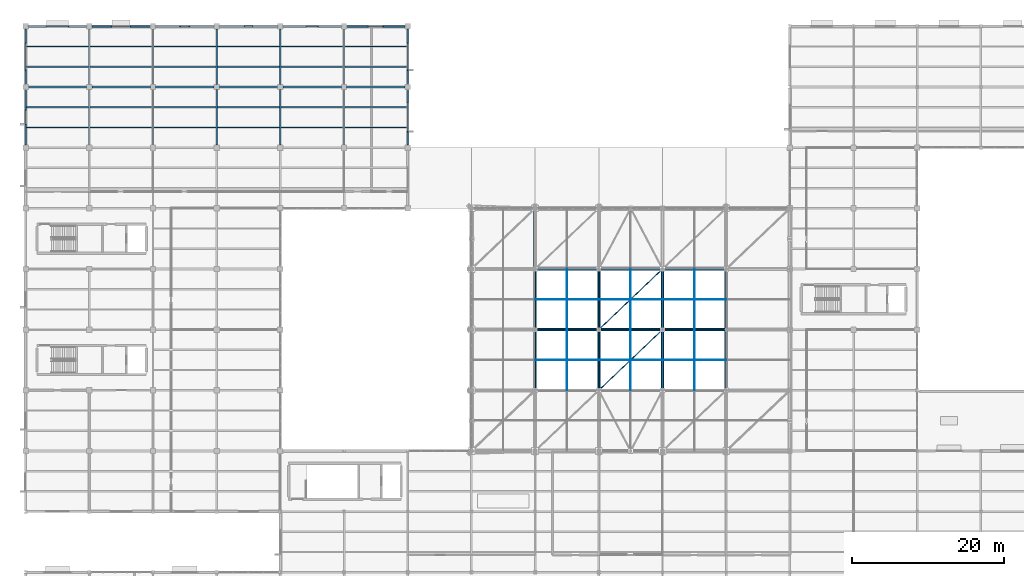
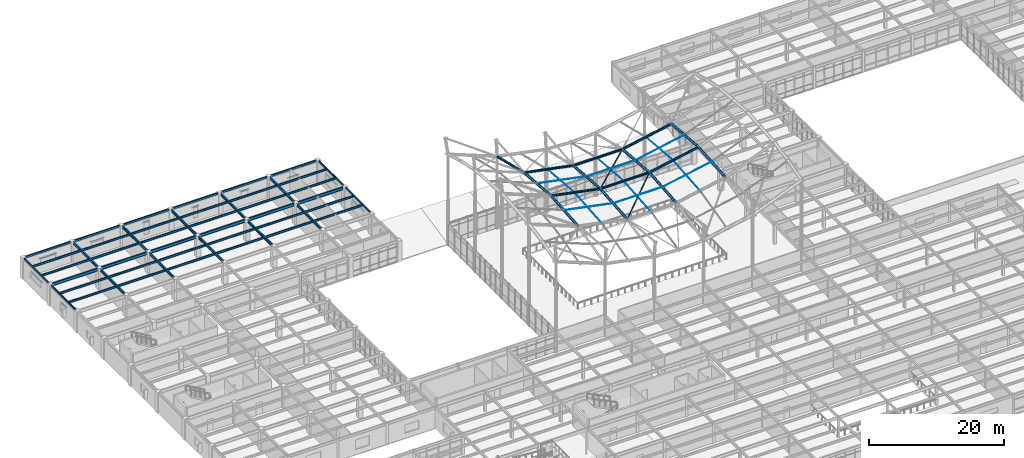
# One storey, part 43 of 138: 75 beams, 14 members.
"""IFC4 building model written with IfcOpenShell, lengths in metres."""

import ifcopenshell
import ifcopenshell.guid

model = None  # the IFC model being written
_history = None  # IfcOwnerHistory: only IFC2X3 demands one
_inside = {}  # id of a spatial element -> (the spatial element, [elements in it])
_under = {}  # id of a project, library or spatial element -> (it, [spatial elements below it])
_declared = {}  # id of a project -> (the project, [libraries it declares])
_typed = {}  # id of a type object -> (the type object, [elements of that type])
_made_of = {}  # id of a material, layer set ... -> (it, [elements and type objects made of it])


def new_model(schema):
    """Start an empty IFC model of exactly this schema.

    Asked for "IFC4X3", IfcOpenShell would pick the latest addendum, in which some entities
    have other attributes; the version numbers below select the first issue.
    IFC2X3 requires an IfcOwnerHistory on every rooted entity: one is made here for all.
    """
    global model, _history
    if schema == "IFC4X3":
        model = ifcopenshell.file(schema_version=(4, 3, 0, 0))
    else:
        model = ifcopenshell.file(schema=schema)
    _inside.clear()
    _under.clear()
    _declared.clear()
    _typed.clear()
    _made_of.clear()
    _history = None
    if model.schema == "IFC2X3":
        org = make("IfcOrganization", Name="unknown")
        user = make(
            "IfcPersonAndOrganization",
            ThePerson=make("IfcPerson", FamilyName="unknown"),
            TheOrganization=org,
        )
        app = make(
            "IfcApplication",
            ApplicationDeveloper=org,
            Version="unknown",
            ApplicationFullName="unknown",
            ApplicationIdentifier="unknown",
        )
        _history = make(
            "IfcOwnerHistory",
            OwningUser=user,
            OwningApplication=app,
            ChangeAction="ADDED",
            CreationDate=0,
        )
    return model


def make(cls, **values):
    """One entity of the class cls with the attributes given. An attribute that is None is left unset."""
    return model.create_entity(
        cls, **{name: value for name, value in values.items() if value is not None}
    )


def rooted(cls, **values):
    """An entity with a GlobalId (a new one), such as an element, a storey or a relation."""
    return make(cls, GlobalId=ifcopenshell.guid.new(), OwnerHistory=_history, **values)


def si_unit(unit_type, name, prefix=None):
    """IfcSIUnit, for example si_unit("LENGTHUNIT", "METRE", prefix="MILLI")."""
    return make("IfcSIUnit", UnitType=unit_type, Prefix=prefix, Name=name)


def assignment(units):
    """IfcUnitAssignment: the units of a project."""
    return None if units is None else make("IfcUnitAssignment", Units=units)


def point(xyz):
    """IfcCartesianPoint."""
    return None if xyz is None else make("IfcCartesianPoint", Coordinates=xyz)


def direction(xyz):
    """IfcDirection."""
    return None if xyz is None else make("IfcDirection", DirectionRatios=xyz)


def frame(location, z_axis=None, x_axis=None):
    """IfcAxis2Placement3D, a coordinate frame: its origin and axes. An axis left out is left unset."""
    return make(
        "IfcAxis2Placement3D",
        Location=point(location),
        Axis=direction(z_axis),
        RefDirection=direction(x_axis),
    )


def frame_2d(location, x_axis=None):
    """IfcAxis2Placement2D, a coordinate frame in the plane: its origin and x axis."""
    return make(
        "IfcAxis2Placement2D", Location=point(location), RefDirection=direction(x_axis)
    )


def origin():
    """The frame at (0, 0, 0) with its axes left unset."""
    return frame((0.0, 0.0, 0.0))


def origin_2d():
    """The frame at (0, 0) in the plane with its x axis left unset."""
    return frame_2d((0.0, 0.0))


def place(relative_to, where):
    """IfcLocalPlacement: puts the frame where relative to a parent placement (None: the world)."""
    return make(
        "IfcLocalPlacement", PlacementRelTo=relative_to, RelativePlacement=where
    )


def context(
    kind, dimensions, precision=None, world=None, true_north=None, identifier=None
):
    """IfcGeometricRepresentationContext, for example the 3D "Model" context."""
    return make(
        "IfcGeometricRepresentationContext",
        ContextIdentifier=identifier,
        ContextType=kind,
        CoordinateSpaceDimension=dimensions,
        Precision=precision,
        WorldCoordinateSystem=world,
        TrueNorth=true_north,
    )


def subcontext(parent, identifier, kind, view, scale=None):
    """IfcGeometricRepresentationSubContext, for example "Body" below "Model"."""
    return make(
        "IfcGeometricRepresentationSubContext",
        ContextIdentifier=identifier,
        ContextType=kind,
        ParentContext=parent,
        TargetScale=scale,
        TargetView=view,
    )


def project(units=None, contexts=None):
    """IfcProject with its units and contexts."""
    return rooted(
        "IfcProject",
        Name="project",
        RepresentationContexts=contexts,
        UnitsInContext=assignment(units),
    )


def spatial(cls, under=None, at=None, **own):
    """A site, building, storey or space (cls), placed at a placement, below another one or the project."""
    s = rooted(cls, ObjectPlacement=at, **own)
    if under is not None:
        _under.setdefault(under.id(), (under, []))[1].append(s)
    return s


def profile(cls, at=None, kind="AREA", **sizes):
    """A parametric profile (cls). Its sizes go by their IFC names, for example OverallWidth=200.0."""
    return make(cls, ProfileType=kind, Position=at, **sizes)


def hollow_rectangle(**sizes):
    """IfcRectangleHollowProfileDef."""
    return profile("IfcRectangleHollowProfileDef", **sizes)


def circle(**sizes):
    """IfcCircleProfileDef."""
    return profile("IfcCircleProfileDef", **sizes)


def hollow_circle(**sizes):
    """IfcCircleHollowProfileDef."""
    return profile("IfcCircleHollowProfileDef", **sizes)


def i_section(**sizes):
    """IfcIShapeProfileDef."""
    return profile("IfcIShapeProfileDef", **sizes)


def u_section(**sizes):
    """IfcUShapeProfileDef."""
    return profile("IfcUShapeProfileDef", **sizes)


def extrude(swept, where, along, depth):
    """IfcExtrudedAreaSolid: the profile swept, set in the frame where, extruded along a direction by depth."""
    return make(
        "IfcExtrudedAreaSolid",
        SweptArea=swept,
        Position=where,
        ExtrudedDirection=direction(along),
        Depth=depth,
    )


def shape(context_of_items, identifier, shape_type, items):
    """IfcShapeRepresentation: the items that make up one representation, for example the "Body"."""
    return make(
        "IfcShapeRepresentation",
        ContextOfItems=context_of_items,
        RepresentationIdentifier=identifier,
        RepresentationType=shape_type,
        Items=items,
    )


def material(Name=None, Category=None):
    """IfcMaterial."""
    return make("IfcMaterial", Name=Name, Category=Category)


def material_profile(
    of_material, cross_section, Name=None, Category=None, Priority=None
):
    """IfcMaterialProfile: a cross section and its material."""
    return make(
        "IfcMaterialProfile",
        Name=Name,
        Material=of_material,
        Profile=cross_section,
        Priority=Priority,
        Category=Category,
    )


def profile_set(profiles, Name=None, composite=None):
    """IfcMaterialProfileSet."""
    return make(
        "IfcMaterialProfileSet",
        Name=Name,
        MaterialProfiles=profiles,
        CompositeProfile=composite,
    )


def made_of(thing, what):
    """Note that an element or type object is made of a material, layer set ...; save() writes the relation."""
    if what is not None:
        _made_of.setdefault(what.id(), (what, []))[1].append(thing)
    return thing


def type_object(cls, material=None, **own):
    """A type object (cls), such as IfcWallType, which elements share."""
    return made_of(rooted(cls, **own), material)


def element(
    cls,
    number,
    at=None,
    inside=None,
    cuts=None,
    type_object=None,
    material=None,
    context=None,
    identifier="Body",
    shape_type=None,
    held_by="IfcProductDefinitionShape",
    body=None,
    shapes=None,
    **own,
):
    """One element of the class cls, such as IfcWall. Its Tag is "e" and its number.

    at: its placement. inside: the storey or other place that contains it. cuts: it is an
    opening in that element (IfcRelVoidsElement). A single representation is given by context,
    identifier, shape_type and body (its items); several are given by shapes. held_by: the class
    of the entity that holds the representations. save() writes the other relations.
    """
    e = rooted(cls, Tag="e%d" % number, ObjectPlacement=at, **own)
    if body is not None:
        shapes = [shape(context, identifier, shape_type, body)]
    if shapes is not None:
        e.Representation = make(held_by, Representations=shapes)
    if inside is not None:
        _inside.setdefault(inside.id(), (inside, []))[1].append(e)
    if cuts is not None:
        rooted(
            "IfcRelVoidsElement", RelatingBuildingElement=cuts, RelatedOpeningElement=e
        )
    if type_object is not None:
        _typed.setdefault(type_object.id(), (type_object, []))[1].append(e)
    return made_of(e, material)


def aggregate(whole, parts):
    """IfcRelAggregates: a whole, such as a stair, and the parts it consists of."""
    return rooted("IfcRelAggregates", RelatingObject=whole, RelatedObjects=parts)


def save(model, path):
    """Write the relations noted so far, then the file.

    IfcRelAggregates (storeys below a building ...), IfcRelContainedInSpatialStructure (elements
    in a storey), IfcRelDefinesByType, IfcRelAssociatesMaterial and IfcRelDeclares: one each for
    every whole, place, type object, material and project.
    """
    for whole, parts in _under.values():
        aggregate(whole, parts)
    for where, things in _inside.values():
        rooted(
            "IfcRelContainedInSpatialStructure",
            RelatedElements=things,
            RelatingStructure=where,
        )
    for kind, things in _typed.values():
        rooted("IfcRelDefinesByType", RelatedObjects=things, RelatingType=kind)
    for what, things in _made_of.values():
        rooted("IfcRelAssociatesMaterial", RelatedObjects=things, RelatingMaterial=what)
    for by, libraries in _declared.values():
        rooted("IfcRelDeclares", RelatingContext=by, RelatedDefinitions=libraries)
    model.write(path)


model = new_model("IFC4")

# Units and contexts
model_context = context("Model", 3, precision=1e-05, world=origin(), true_north=direction((0.0, 1.0)))
body_context = subcontext(model_context, "Body", "Model", "MODEL_VIEW")
ifc_project = project(units=[si_unit("LENGTHUNIT", "METRE"), si_unit("AREAUNIT", "SQUARE_METRE"), si_unit("VOLUMEUNIT", "CUBIC_METRE"), si_unit("PLANEANGLEUNIT", "RADIAN"), si_unit("MASSUNIT", "GRAM", prefix="KILO")], contexts=[model_context])

# Site, building, storey
site_placement = place(None, origin())
site = spatial("IfcSite", under=ifc_project, at=site_placement, CompositionType="ELEMENT")
building_placement = place(site_placement, origin())
building = spatial("IfcBuilding", under=site, at=building_placement, Name="Kranzveld Transit Interchange", CompositionType="ELEMENT")
storey_placement = place(building_placement, frame((0.0, 0.0, 5.43994140625)))
storey = spatial("IfcBuildingStorey", under=building, at=storey_placement, Name="L01", CompositionType="ELEMENT", Elevation=5.43994140625)

# Beams
ifc_material_1 = material(Name="Steel S355JR", Category="steel")
ifc_material_profile_1 = material_profile(ifc_material_1, i_section(OverallWidth=0.19189453125, OverallDepth=0.46337890625, WebThickness=0.010498046875, FlangeThickness=0.017578125, FilletRadius=0.01025390625, at=origin_2d()), Name="UB 457x191x89")
ifc_profile_set_1 = profile_set([ifc_material_profile_1], Name="Steel S355JR")
beam_type_1 = type_object("IfcBeamType", Name="Beam Steel UB 457x191x89 S355JR", PredefinedType="BEAM", material=ifc_profile_set_1)
for number, where, z_axis, x_axis, name in (
    (1, (8.39990234375, 96.340087890625, 3.568359375), (0.0, 1.0, 0.0), (-1.0, 0.0, 0.0), "L01 Girder 02/N-P"),
    (2, (8.39990234375, 104.340087890625, 3.568359375), (0.0, 1.0, 0.0), (-1.0, 0.0, 0.0), "L01 Girder 02/P-Q"),
    (3, (16.800048828125, 96.340087890625, 3.568359375), (0.0, 1.0, 0.0), (-1.0, 0.0, 0.0), "L01 Girder 03/N-P"),
    (4, (16.800048828125, 104.340087890625, 3.568359375), (0.0, 1.0, 0.0), (-1.0, 0.0, 0.0), "L01 Girder 03/P-Q"),
    (5, (25.199951171875, 96.340087890625, 3.568359375), (0.0, 1.0, 0.0), (-1.0, 0.0, 0.0), "L01 Girder 04/N-P"),
    (6, (25.199951171875, 104.340087890625, 3.568359375), (0.0, 1.0, 0.0), (-1.0, 0.0, 0.0), "L01 Girder 04/P-Q"),
    (7, (33.60009765625, 96.340087890625, 3.568359375), (0.0, 1.0, 0.0), (-1.0, 0.0, 0.0), "L01 Girder 05/N-P"),
    (8, (33.60009765625, 104.340087890625, 3.568359375), (0.0, 1.0, 0.0), (-1.0, 0.0, 0.0), "L01 Girder 05/P-Q"),
    (9, (42.0, 96.340087890625, 3.568359375), (0.0, 1.0, 0.0), (-1.0, 0.0, 0.0), "L01 Girder 06/N-P"),
    (10, (42.0, 104.340087890625, 3.568359375), (0.0, 1.0, 0.0), (-1.0, 0.0, 0.0), "L01 Girder 06/P-Q"),
):
    element("IfcBeam", number, at=place(storey_placement, frame(where, z_axis=z_axis, x_axis=x_axis)), inside=storey, type_object=beam_type_1, Name=name, PredefinedType="BEAM", context=body_context, shape_type="SweptSolid", body=[
        extrude(i_section(OverallWidth=0.19189453125, OverallDepth=0.46337890625, WebThickness=0.010498046875, FlangeThickness=0.017578125, FilletRadius=0.01025390625, at=origin_2d()), origin(), (0.0, 0.0, 1.0), 7.31982421875),
    ])
ifc_material_2 = material(Name="Steel S355JR", Category="steel")
ifc_material_profile_2 = material_profile(ifc_material_2, hollow_rectangle(XDim=0.199951171875, YDim=0.300048828125, WallThickness=0.010009765625, InnerFilletRadius=0.014892578125, OuterFilletRadius=0.02490234375, at=origin_2d()), Name="RHS 300x200x10")
ifc_profile_set_2 = profile_set([ifc_material_profile_2], Name="Steel S355JR")
beam_type_2 = type_object("IfcBeamType", Name="Edge Spandrel RHS 300x200x10 S355JR", PredefinedType="SPANDREL", material=ifc_profile_set_2)
for number, where, z_axis, x_axis, name in (
    (11, (0.0, 96.340087890625, 3.650146484375), (0.0, 1.0, 0.0), (-1.0, 0.0, 0.0), "L01 Girder 01/N-P"),
    (12, (0.0, 104.340087890625, 3.650146484375), (0.0, 1.0, 0.0), (-1.0, 0.0, 0.0), "L01 Girder 01/P-Q"),
    (13, (50.39990234375, 96.340087890625, 3.650146484375), (0.0, 1.0, 0.0), (-1.0, 0.0, 0.0), "L01 Girder 07/N-P"),
    (14, (50.39990234375, 104.340087890625, 3.650146484375), (0.0, 1.0, 0.0), (-1.0, 0.0, 0.0), "L01 Girder 07/P-Q"),
):
    element("IfcBeam", number, at=place(storey_placement, frame(where, z_axis=z_axis, x_axis=x_axis)), inside=storey, type_object=beam_type_2, Name=name, PredefinedType="SPANDREL", context=body_context, shape_type="SweptSolid", body=[
        extrude(hollow_rectangle(XDim=0.199951171875, YDim=0.300048828125, WallThickness=0.010009765625, InnerFilletRadius=0.014892578125, OuterFilletRadius=0.02490234375, at=origin_2d()), origin(), (0.0, 0.0, 1.0), 7.31982421875),
    ])
ifc_material_3 = material(Name="Steel S355JR", Category="steel")
ifc_material_profile_3 = material_profile(ifc_material_3, hollow_rectangle(XDim=0.25, YDim=0.35009765625, WallThickness=0.012451171875, InnerFilletRadius=0.018798828125, OuterFilletRadius=0.03125, at=origin_2d()), Name="RHS 350x250x12.5")
ifc_profile_set_3 = profile_set([ifc_material_profile_3], Name="Steel S355JR")
beam_type_3 = type_object("IfcBeamType", Name="Edge Spandrel RHS 350x250x12.5 S355JR", PredefinedType="SPANDREL", material=ifc_profile_set_3)
for number, where, z_axis, x_axis, name in (
    (15, (0.340087890625, 112.0, 3.625), (1.0, 0.0, 0.0), (0.0, 1.0, 0.0), "L01 Girder 01-02/Q"),
    (16, (8.739990234375, 112.0, 3.625), (1.0, 0.0, 0.0), (0.0, 1.0, 0.0), "L01 Girder 02-03/Q"),
):
    element("IfcBeam", number, at=place(storey_placement, frame(where, z_axis=z_axis, x_axis=x_axis)), inside=storey, type_object=beam_type_3, Name=name, PredefinedType="SPANDREL", context=body_context, shape_type="SweptSolid", body=[
        extrude(hollow_rectangle(XDim=0.25, YDim=0.35009765625, WallThickness=0.012451171875, InnerFilletRadius=0.018798828125, OuterFilletRadius=0.03125, at=origin_2d()), origin(), (0.0, 0.0, 1.0), 7.719970703125),
    ])
beam_1_placement = place(storey_placement, frame((17.139892578125, 112.0, 3.625), z_axis=(1.0, 0.0, 0.0), x_axis=(0.0, 1.0, 0.0)))
element("IfcBeam", 17, at=beam_1_placement, inside=storey, type_object=beam_type_3, Name="L01 Girder 03-04/Q", PredefinedType="SPANDREL", context=body_context, shape_type="SweptSolid", body=[
    extrude(hollow_rectangle(XDim=0.25, YDim=0.35009765625, WallThickness=0.012451171875, InnerFilletRadius=0.018798828125, OuterFilletRadius=0.03125, at=origin_2d()), origin(), (0.0, 0.0, 1.0), 7.72021484375),
])
for number, where, z_axis, x_axis, name in (
    (18, (25.5400390625, 112.0, 3.625), (1.0, 0.0, 0.0), (0.0, 1.0, 0.0), "L01 Girder 04-05/Q"),
    (19, (33.93994140625, 112.0, 3.625), (1.0, 0.0, 0.0), (0.0, 1.0, 0.0), "L01 Girder 05-06/Q"),
    (20, (42.340087890625, 112.0, 3.625), (1.0, 0.0, 0.0), (0.0, 1.0, 0.0), "L01 Girder 06-07/Q"),
):
    element("IfcBeam", number, at=place(storey_placement, frame(where, z_axis=z_axis, x_axis=x_axis)), inside=storey, type_object=beam_type_3, Name=name, PredefinedType="SPANDREL", context=body_context, shape_type="SweptSolid", body=[
        extrude(hollow_rectangle(XDim=0.25, YDim=0.35009765625, WallThickness=0.012451171875, InnerFilletRadius=0.018798828125, OuterFilletRadius=0.03125, at=origin_2d()), origin(), (0.0, 0.0, 1.0), 7.719970703125),
    ])
ifc_material_4 = material(Name="Steel S355JR", Category="steel")
ifc_material_profile_4 = material_profile(ifc_material_4, i_section(OverallWidth=0.172119140625, OverallDepth=0.35791015625, WebThickness=0.008056640625, FlangeThickness=0.012939453125, FilletRadius=0.01025390625, at=origin_2d()), Name="UB 356x171x57")
ifc_profile_set_4 = profile_set([ifc_material_profile_4], Name="Steel S355JR")
beam_type_4 = type_object("IfcBeamType", Name="Floor Joist UB 356x171x57 S355JR", PredefinedType="JOIST", material=ifc_profile_set_4)
for number, where, z_axis, x_axis, name in (
    (21, (0.10205078125, 98.666748046875, 3.62109375), (1.0, 0.0, 0.0), (0.0, 1.0, 0.0), "L01 Secondary Joist 01-02/N.1"),
    (22, (0.10205078125, 101.333251953125, 3.62109375), (1.0, 0.0, 0.0), (0.0, 1.0, 0.0), "L01 Secondary Joist 01-02/N.2"),
    (23, (0.10205078125, 106.666748046875, 3.62109375), (1.0, 0.0, 0.0), (0.0, 1.0, 0.0), "L01 Secondary Joist 01-02/P.1"),
    (24, (0.10205078125, 109.333251953125, 3.62109375), (1.0, 0.0, 0.0), (0.0, 1.0, 0.0), "L01 Secondary Joist 01-02/P.2"),
):
    element("IfcBeam", number, at=place(storey_placement, frame(where, z_axis=z_axis, x_axis=x_axis)), inside=storey, type_object=beam_type_4, Name=name, PredefinedType="JOIST", context=body_context, shape_type="SweptSolid", body=[
        extrude(i_section(OverallWidth=0.172119140625, OverallDepth=0.35791015625, WebThickness=0.008056640625, FlangeThickness=0.012939453125, FilletRadius=0.01025390625, at=origin_2d()), origin(), (0.0, 0.0, 1.0), 8.199951171875),
    ])
for number, where, z_axis, x_axis, name in (
    (25, (8.498046875, 98.666748046875, 3.62109375), (1.0, 0.0, 0.0), (0.0, 1.0, 0.0), "L01 Secondary Joist 02-03/N.1"),
    (26, (8.498046875, 101.333251953125, 3.62109375), (1.0, 0.0, 0.0), (0.0, 1.0, 0.0), "L01 Secondary Joist 02-03/N.2"),
    (27, (8.498046875, 106.666748046875, 3.62109375), (1.0, 0.0, 0.0), (0.0, 1.0, 0.0), "L01 Secondary Joist 02-03/P.1"),
    (28, (8.498046875, 109.333251953125, 3.62109375), (1.0, 0.0, 0.0), (0.0, 1.0, 0.0), "L01 Secondary Joist 02-03/P.2"),
    (29, (16.89794921875, 98.666748046875, 3.62109375), (1.0, 0.0, 0.0), (0.0, 1.0, 0.0), "L01 Secondary Joist 03-04/N.1"),
    (30, (16.89794921875, 101.333251953125, 3.62109375), (1.0, 0.0, 0.0), (0.0, 1.0, 0.0), "L01 Secondary Joist 03-04/N.2"),
    (31, (16.89794921875, 106.666748046875, 3.62109375), (1.0, 0.0, 0.0), (0.0, 1.0, 0.0), "L01 Secondary Joist 03-04/P.1"),
    (32, (16.89794921875, 109.333251953125, 3.62109375), (1.0, 0.0, 0.0), (0.0, 1.0, 0.0), "L01 Secondary Joist 03-04/P.2"),
    (33, (25.2978515625, 98.666748046875, 3.62109375), (1.0, 0.0, 0.0), (0.0, 1.0, 0.0), "L01 Secondary Joist 04-05/N.1"),
    (34, (25.2978515625, 101.333251953125, 3.62109375), (1.0, 0.0, 0.0), (0.0, 1.0, 0.0), "L01 Secondary Joist 04-05/N.2"),
    (35, (25.2978515625, 106.666748046875, 3.62109375), (1.0, 0.0, 0.0), (0.0, 1.0, 0.0), "L01 Secondary Joist 04-05/P.1"),
    (36, (25.2978515625, 109.333251953125, 3.62109375), (1.0, 0.0, 0.0), (0.0, 1.0, 0.0), "L01 Secondary Joist 04-05/P.2"),
    (37, (33.697998046875, 98.666748046875, 3.62109375), (1.0, 0.0, 0.0), (0.0, 1.0, 0.0), "L01 Secondary Joist 05-06/N.1"),
    (38, (33.697998046875, 101.333251953125, 3.62109375), (1.0, 0.0, 0.0), (0.0, 1.0, 0.0), "L01 Secondary Joist 05-06/N.2"),
    (39, (33.697998046875, 106.666748046875, 3.62109375), (1.0, 0.0, 0.0), (0.0, 1.0, 0.0), "L01 Secondary Joist 05-06/P.1"),
    (40, (33.697998046875, 109.333251953125, 3.62109375), (1.0, 0.0, 0.0), (0.0, 1.0, 0.0), "L01 Secondary Joist 05-06/P.2"),
):
    element("IfcBeam", number, at=place(storey_placement, frame(where, z_axis=z_axis, x_axis=x_axis)), inside=storey, type_object=beam_type_4, Name=name, PredefinedType="JOIST", context=body_context, shape_type="SweptSolid", body=[
        extrude(i_section(OverallWidth=0.172119140625, OverallDepth=0.35791015625, WebThickness=0.008056640625, FlangeThickness=0.012939453125, FilletRadius=0.01025390625, at=origin_2d()), origin(), (0.0, 0.0, 1.0), 8.2041015625),
    ])
for number, where, z_axis, x_axis, name in (
    (41, (42.097900390625, 98.666748046875, 3.62109375), (1.0, 0.0, 0.0), (0.0, 1.0, 0.0), "L01 Secondary Joist 06-07/N.1"),
    (42, (42.097900390625, 101.333251953125, 3.62109375), (1.0, 0.0, 0.0), (0.0, 1.0, 0.0), "L01 Secondary Joist 06-07/N.2"),
    (43, (42.097900390625, 106.666748046875, 3.62109375), (1.0, 0.0, 0.0), (0.0, 1.0, 0.0), "L01 Secondary Joist 06-07/P.1"),
    (44, (42.097900390625, 109.333251953125, 3.62109375), (1.0, 0.0, 0.0), (0.0, 1.0, 0.0), "L01 Secondary Joist 06-07/P.2"),
):
    element("IfcBeam", number, at=place(storey_placement, frame(where, z_axis=z_axis, x_axis=x_axis)), inside=storey, type_object=beam_type_4, Name=name, PredefinedType="JOIST", context=body_context, shape_type="SweptSolid", body=[
        extrude(i_section(OverallWidth=0.172119140625, OverallDepth=0.35791015625, WebThickness=0.008056640625, FlangeThickness=0.012939453125, FilletRadius=0.01025390625, at=origin_2d()), origin(), (0.0, 0.0, 1.0), 8.2001953125),
    ])

# Members
ifc_material_5 = material(Name="Steel S355JR", Category="steel")
ifc_material_profile_5 = material_profile(ifc_material_5, hollow_rectangle(XDim=0.14990234375, YDim=0.14990234375, WallThickness=0.008056640625, InnerFilletRadius=0.011962890625, OuterFilletRadius=0.02001953125, at=origin_2d()), Name="SHS 150x150x8")
ifc_profile_set_5 = profile_set([ifc_material_profile_5], Name="Steel S355JR")
member_type_1 = type_object("IfcMemberType", Name="Frame Brace SHS 150x150x8 S355JR", PredefinedType="BRACE", material=ifc_profile_set_5)
for number, where, z_axis, x_axis, name in (
    (45, (75.60009765625, 64.0, 13.218017578125), (0.722999232436, 0.688578702798, 0.055959627855), (-0.689659376744, 0.724133926887, 0.0), "Saddle Roof Plan Brace 10/J-11/K"),
    (46, (75.60009765625, 72.0, 13.8681640625), (0.722999232436, 0.688578702798, -0.055959627855), (-0.689659376744, 0.724133926887, 0.0), "Saddle Roof Plan Brace 10/K-11/L"),
):
    element("IfcMember", number, at=place(storey_placement, frame(where, z_axis=z_axis, x_axis=x_axis)), inside=storey, type_object=member_type_1, Name=name, PredefinedType="BRACE", context=body_context, shape_type="SweptSolid", body=[
        extrude(hollow_rectangle(XDim=0.14990234375, YDim=0.14990234375, WallThickness=0.008056640625, InnerFilletRadius=0.011962890625, OuterFilletRadius=0.02001953125, at=origin_2d()), origin(), (0.0, 0.0, 1.0), 11.6181640625),
    ])

# Beams
ifc_material_6 = material(Name="Steel S355JR", Category="steel")
ifc_material_profile_6 = material_profile(ifc_material_6, i_section(OverallWidth=0.210693359375, OverallDepth=0.53955078125, WebThickness=0.01171875, FlangeThickness=0.018798828125, FilletRadius=0.0126953125, at=origin_2d()), Name="UB 533x210x109")
ifc_profile_set_6 = profile_set([ifc_material_profile_6], Name="Steel S355JR")
beam_type_5 = type_object("IfcBeamType", Name="Girder Steel UB 533x210x109 S355JR", PredefinedType="BEAM", material=ifc_profile_set_6)
for number, where, z_axis, x_axis, name in (
    (47, (0.340087890625, 104.0, 3.5302734375), (1.0, 0.0, 0.0), (0.0, 1.0, 0.0), "L01 Girder 01-02/P"),
    (48, (8.739990234375, 104.0, 3.5302734375), (1.0, 0.0, 0.0), (0.0, 1.0, 0.0), "L01 Girder 02-03/P"),
):
    element("IfcBeam", number, at=place(storey_placement, frame(where, z_axis=z_axis, x_axis=x_axis)), inside=storey, type_object=beam_type_5, Name=name, PredefinedType="BEAM", context=body_context, shape_type="SweptSolid", body=[
        extrude(i_section(OverallWidth=0.210693359375, OverallDepth=0.53955078125, WebThickness=0.01171875, FlangeThickness=0.018798828125, FilletRadius=0.0126953125, at=origin_2d()), origin(), (0.0, 0.0, 1.0), 7.719970703125),
    ])
beam_2_placement = place(storey_placement, frame((17.139892578125, 104.0, 3.5302734375), z_axis=(1.0, 0.0, 0.0), x_axis=(0.0, 1.0, 0.0)))
element("IfcBeam", 49, at=beam_2_placement, inside=storey, type_object=beam_type_5, Name="L01 Girder 03-04/P", PredefinedType="BEAM", context=body_context, shape_type="SweptSolid", body=[
    extrude(i_section(OverallWidth=0.210693359375, OverallDepth=0.53955078125, WebThickness=0.01171875, FlangeThickness=0.018798828125, FilletRadius=0.0126953125, at=origin_2d()), origin(), (0.0, 0.0, 1.0), 7.72021484375),
])
for number, where, z_axis, x_axis, name in (
    (50, (25.5400390625, 104.0, 3.5302734375), (1.0, 0.0, 0.0), (0.0, 1.0, 0.0), "L01 Girder 04-05/P"),
    (51, (33.93994140625, 104.0, 3.5302734375), (1.0, 0.0, 0.0), (0.0, 1.0, 0.0), "L01 Girder 05-06/P"),
    (52, (42.340087890625, 104.0, 3.5302734375), (1.0, 0.0, 0.0), (0.0, 1.0, 0.0), "L01 Girder 06-07/P"),
):
    element("IfcBeam", number, at=place(storey_placement, frame(where, z_axis=z_axis, x_axis=x_axis)), inside=storey, type_object=beam_type_5, Name=name, PredefinedType="BEAM", context=body_context, shape_type="SweptSolid", body=[
        extrude(i_section(OverallWidth=0.210693359375, OverallDepth=0.53955078125, WebThickness=0.01171875, FlangeThickness=0.018798828125, FilletRadius=0.0126953125, at=origin_2d()), origin(), (0.0, 0.0, 1.0), 7.719970703125),
    ])
ifc_material_7 = material(Name="Steel S355JR", Category="steel")
ifc_material_profile_7 = material_profile(ifc_material_7, u_section(Depth=0.179931640625, FlangeWidth=0.070068359375, WebThickness=0.007080078125, FlangeThickness=0.010986328125, FilletRadius=0.010009765625, at=origin_2d()), Name="PFC 180x70x22")
ifc_profile_set_7 = profile_set([ifc_material_profile_7], Name="Steel S355JR")
beam_type_6 = type_object("IfcBeamType", Name="Masonry Lintel PFC 180x70x22 S355JR", PredefinedType="LINTEL", material=ifc_profile_set_7)
beam_3_placement = place(storey_placement, frame((0.0, 99.070068359375, 2.39501953125), z_axis=(0.0, 1.0, 0.0), x_axis=(-1.0, 0.0, 0.0)))
element("IfcBeam", 53, at=beam_3_placement, inside=storey, type_object=beam_type_6, Name="L01 Window Lintel 073", PredefinedType="LINTEL", context=body_context, shape_type="SweptSolid", body=[
    extrude(u_section(Depth=0.179931640625, FlangeWidth=0.070068359375, WebThickness=0.007080078125, FlangeThickness=0.010986328125, FilletRadius=0.010009765625, at=origin_2d()), origin(), (0.0, 0.0, 1.0), 1.85986328125),
])
beam_4_placement = place(storey_placement, frame((20.344970703125, 112.0, 2.844970703125), z_axis=(1.0, 0.0, 0.0), x_axis=(0.0, 1.0, 0.0)))
element("IfcBeam", 54, at=beam_4_placement, inside=storey, type_object=beam_type_6, Name="L01 Window Lintel 077", PredefinedType="LINTEL", context=body_context, shape_type="SweptSolid", body=[
    extrude(u_section(Depth=0.179931640625, FlangeWidth=0.070068359375, WebThickness=0.007080078125, FlangeThickness=0.010986328125, FilletRadius=0.010009765625, at=origin_2d()), origin(), (0.0, 0.0, 1.0), 1.31005859375),
])
ifc_material_8 = material(Name="Steel S355JR", Category="steel")
ifc_material_profile_8 = material_profile(ifc_material_8, u_section(Depth=0.199951171875, FlangeWidth=0.074951171875, WebThickness=0.006103515625, FlangeThickness=0.012451171875, FilletRadius=0.011962890625, at=origin_2d()), Name="PFC 200x75x23")
ifc_profile_set_8 = profile_set([ifc_material_profile_8], Name="Steel S355JR")
beam_type_7 = type_object("IfcBeamType", Name="Masonry Lintel PFC 200x75x23 S355JR", PredefinedType="LINTEL", material=ifc_profile_set_8)
beam_5_placement = place(storey_placement, frame((11.3701171875, 112.0, 2.455078125), z_axis=(1.0, 0.0, 0.0), x_axis=(0.0, 1.0, 0.0)))
element("IfcBeam", 55, at=beam_5_placement, inside=storey, type_object=beam_type_7, Name="L01 Window Lintel 076", PredefinedType="LINTEL", context=body_context, shape_type="SweptSolid", body=[
    extrude(u_section(Depth=0.199951171875, FlangeWidth=0.074951171875, WebThickness=0.006103515625, FlangeThickness=0.012451171875, FilletRadius=0.011962890625, at=origin_2d()), origin(), (0.0, 0.0, 1.0), 2.4599609375),
])
beam_6_placement = place(storey_placement, frame((45.219970703125, 112.0, 2.205078125), z_axis=(1.0, 0.0, 0.0), x_axis=(0.0, 1.0, 0.0)))
element("IfcBeam", 56, at=beam_6_placement, inside=storey, type_object=beam_type_7, Name="L01 Window Lintel 080", PredefinedType="LINTEL", context=body_context, shape_type="SweptSolid", body=[
    extrude(u_section(Depth=0.199951171875, FlangeWidth=0.074951171875, WebThickness=0.006103515625, FlangeThickness=0.012451171875, FilletRadius=0.011962890625, at=origin_2d()), origin(), (0.0, 0.0, 1.0), 1.9599609375),
])
ifc_material_9 = material(Name="Steel S355JR", Category="steel")
ifc_material_profile_9 = material_profile(ifc_material_9, i_section(OverallWidth=0.091064453125, OverallDepth=0.179931640625, WebThickness=0.00537109375, FlangeThickness=0.008056640625, FilletRadius=0.009033203125, at=origin_2d()), Name="IPE 180")
ifc_profile_set_9 = profile_set([ifc_material_profile_9], Name="Steel S355JR")
beam_type_8 = type_object("IfcBeamType", Name="Opening Lintel IPE 180 S355JR", PredefinedType="LINTEL", material=ifc_profile_set_9)
beam_7_placement = place(storey_placement, frame((2.719970703125, 112.0, 2.4951171875), z_axis=(1.0, 0.0, 0.0), x_axis=(0.0, 1.0, 0.0)))
element("IfcBeam", 57, at=beam_7_placement, inside=storey, type_object=beam_type_8, Name="L01 Window Lintel 075", PredefinedType="LINTEL", context=body_context, shape_type="SweptSolid", body=[
    extrude(i_section(OverallWidth=0.091064453125, OverallDepth=0.179931640625, WebThickness=0.00537109375, FlangeThickness=0.008056640625, FilletRadius=0.009033203125, at=origin_2d()), origin(), (0.0, 0.0, 1.0), 2.9599609375),
])
beam_8_placement = place(storey_placement, frame((37.02001953125, 112.0, 2.594970703125), z_axis=(1.0, 0.0, 0.0), x_axis=(0.0, 1.0, 0.0)))
element("IfcBeam", 58, at=beam_8_placement, inside=storey, type_object=beam_type_8, Name="L01 Window Lintel 079", PredefinedType="LINTEL", context=body_context, shape_type="SweptSolid", body=[
    extrude(i_section(OverallWidth=0.091064453125, OverallDepth=0.179931640625, WebThickness=0.00537109375, FlangeThickness=0.008056640625, FilletRadius=0.009033203125, at=origin_2d()), origin(), (0.0, 0.0, 1.0), 1.56005859375),
])
beam_9_placement = place(storey_placement, frame((50.39990234375, 106.219970703125, 2.64501953125), z_axis=(0.0, 1.0, 0.0), x_axis=(-1.0, 0.0, 0.0)))
element("IfcBeam", 59, at=beam_9_placement, inside=storey, type_object=beam_type_8, Name="L01 Window Lintel 083", PredefinedType="LINTEL", context=body_context, shape_type="SweptSolid", body=[
    extrude(i_section(OverallWidth=0.091064453125, OverallDepth=0.179931640625, WebThickness=0.00537109375, FlangeThickness=0.008056640625, FilletRadius=0.009033203125, at=origin_2d()), origin(), (0.0, 0.0, 1.0), 3.56005859375),
])
ifc_material_10 = material(Name="Steel S355JR", Category="steel")
ifc_material_profile_10 = material_profile(ifc_material_10, i_section(OverallWidth=0.10009765625, OverallDepth=0.199951171875, WebThickness=0.005615234375, FlangeThickness=0.008544921875, FilletRadius=0.011962890625, at=origin_2d()), Name="IPE 200")
ifc_profile_set_10 = profile_set([ifc_material_profile_10], Name="Steel S355JR")
beam_type_9 = type_object("IfcBeamType", Name="Opening Lintel IPE 200 S355JR", PredefinedType="LINTEL", material=ifc_profile_set_10)
beam_10_placement = place(storey_placement, frame((0.0, 106.219970703125, 2.55517578125), z_axis=(0.0, 1.0, 0.0), x_axis=(-1.0, 0.0, 0.0)))
element("IfcBeam", 60, at=beam_10_placement, inside=storey, type_object=beam_type_9, Name="L01 Window Lintel 074", PredefinedType="LINTEL", context=body_context, shape_type="SweptSolid", body=[
    extrude(i_section(OverallWidth=0.10009765625, OverallDepth=0.199951171875, WebThickness=0.005615234375, FlangeThickness=0.008544921875, FilletRadius=0.011962890625, at=origin_2d()), origin(), (0.0, 0.0, 1.0), 3.56005859375),
])
beam_11_placement = place(storey_placement, frame((28.820068359375, 112.0, 2.60498046875), z_axis=(1.0, 0.0, 0.0), x_axis=(0.0, 1.0, 0.0)))
element("IfcBeam", 61, at=beam_11_placement, inside=storey, type_object=beam_type_9, Name="L01 Window Lintel 078", PredefinedType="LINTEL", context=body_context, shape_type="SweptSolid", body=[
    extrude(i_section(OverallWidth=0.10009765625, OverallDepth=0.199951171875, WebThickness=0.005615234375, FlangeThickness=0.008544921875, FilletRadius=0.011962890625, at=origin_2d()), origin(), (0.0, 0.0, 1.0), 1.159912109375),
])
beam_12_placement = place(storey_placement, frame((50.39990234375, 98.1201171875, 2.705078125), z_axis=(0.0, 1.0, 0.0), x_axis=(-1.0, 0.0, 0.0)))
element("IfcBeam", 62, at=beam_12_placement, inside=storey, type_object=beam_type_9, Name="L01 Window Lintel 082", PredefinedType="LINTEL", context=body_context, shape_type="SweptSolid", body=[
    extrude(i_section(OverallWidth=0.10009765625, OverallDepth=0.199951171875, WebThickness=0.005615234375, FlangeThickness=0.008544921875, FilletRadius=0.011962890625, at=origin_2d()), origin(), (0.0, 0.0, 1.0), 3.759765625),
])
ifc_material_11 = material(Name="Steel S355JR", Category="steel")
ifc_material_profile_11 = material_profile(ifc_material_11, hollow_circle(Radius=0.203125, WallThickness=0.01611328125, at=origin_2d()), Name="CHS 406.4x16")
ifc_profile_set_11 = profile_set([ifc_material_profile_11], Name="Steel S355JR")
beam_type_10 = type_object("IfcBeamType", Name="Saddle Arch Rib CHS 406.4x16 S355JR", PredefinedType="BEAM", material=ifc_profile_set_11)
for number, where, z_axis, x_axis, name in (
    (63, (67.199951171875, 64.0, 14.902099609375), (0.0, 0.996716454103, 0.080971044947), (-1.0, 0.0, 0.0), "Saddle Arch Rib 09/J-K"),
    (64, (67.199951171875, 72.0, 15.552001953125), (0.0, 0.996716454103, -0.080971044947), (-1.0, 0.0, 0.0), "Saddle Arch Rib 09/K-L"),
):
    element("IfcBeam", number, at=place(storey_placement, frame(where, z_axis=z_axis, x_axis=x_axis)), inside=storey, type_object=beam_type_10, Name=name, PredefinedType="BEAM", context=body_context, shape_type="SweptSolid", body=[
        extrude(hollow_circle(Radius=0.203125, WallThickness=0.01611328125, at=origin_2d()), origin(), (0.0, 0.0, 1.0), 8.0263671875),
    ])
beam_13_placement = place(storey_placement, frame((67.199951171875, 80.0, 14.902099609375), z_axis=(0.0, 0.971555787477, -0.236810793292), x_axis=(-1.0, 0.0, 0.0)))
element("IfcBeam", 65, at=beam_13_placement, inside=storey, type_object=beam_type_10, Name="Saddle Arch Rib 09/L-M", PredefinedType="BEAM", context=body_context, shape_type="SweptSolid", body=[
    extrude(hollow_circle(Radius=0.203125, WallThickness=0.01611328125, at=origin_2d()), origin(), (0.0, 0.0, 1.0), 8.234130859375),
])
for number, where, z_axis, x_axis, name in (
    (66, (75.60009765625, 64.0, 13.238037109375), (0.0, 0.996716454103, 0.080971044947), (-1.0, 0.0, 0.0), "Saddle Arch Rib 10/J-K"),
    (67, (75.60009765625, 72.0, 13.887939453125), (0.0, 0.996716454103, -0.080971044947), (-1.0, 0.0, 0.0), "Saddle Arch Rib 10/K-L"),
    (68, (84.0, 64.0, 13.238037109375), (0.0, 0.996716454103, 0.080971044947), (-1.0, 0.0, 0.0), "Saddle Arch Rib 11/J-K"),
    (69, (84.0, 72.0, 13.887939453125), (0.0, 0.996716454103, -0.080971044947), (-1.0, 0.0, 0.0), "Saddle Arch Rib 11/K-L"),
    (70, (92.39990234375, 64.0, 14.902099609375), (0.0, 0.996716454103, 0.080971044947), (-1.0, 0.0, 0.0), "Saddle Arch Rib 12/J-K"),
    (71, (92.39990234375, 72.0, 15.552001953125), (0.0, 0.996716454103, -0.080971044947), (-1.0, 0.0, 0.0), "Saddle Arch Rib 12/K-L"),
):
    element("IfcBeam", number, at=place(storey_placement, frame(where, z_axis=z_axis, x_axis=x_axis)), inside=storey, type_object=beam_type_10, Name=name, PredefinedType="BEAM", context=body_context, shape_type="SweptSolid", body=[
        extrude(hollow_circle(Radius=0.203125, WallThickness=0.01611328125, at=origin_2d()), origin(), (0.0, 0.0, 1.0), 8.0263671875),
    ])
beam_14_placement = place(storey_placement, frame((67.199951171875, 72.0, 15.552001953125), z_axis=(0.980937602639, 0.0, -0.19432297787), x_axis=(0.0, 1.0, 0.0)))
element("IfcBeam", 72, at=beam_14_placement, inside=storey, type_object=beam_type_10, Name="Saddle Arch Rib 09-10/K", PredefinedType="BEAM", context=body_context, shape_type="SweptSolid", body=[
    extrude(hollow_circle(Radius=0.203125, WallThickness=0.01611328125, at=origin_2d()), origin(), (0.0, 0.0, 1.0), 8.5634765625),
])
beam_15_placement = place(storey_placement, frame((75.60009765625, 72.0, 13.887939453125), z_axis=(1.0, 0.0, 0.0), x_axis=(0.0, 1.0, 0.0)))
element("IfcBeam", 73, at=beam_15_placement, inside=storey, type_object=beam_type_10, Name="Saddle Arch Rib 10-11/K", PredefinedType="BEAM", context=body_context, shape_type="SweptSolid", body=[
    extrude(hollow_circle(Radius=0.203125, WallThickness=0.01611328125, at=origin_2d()), origin(), (0.0, 0.0, 1.0), 8.39990234375),
])
beam_16_placement = place(storey_placement, frame((84.0, 72.0, 13.887939453125), z_axis=(0.980936526023, 0.0, 0.194328412526), x_axis=(0.0, 1.0, 0.0)))
element("IfcBeam", 74, at=beam_16_placement, inside=storey, type_object=beam_type_10, Name="Saddle Arch Rib 11-12/K", PredefinedType="BEAM", context=body_context, shape_type="SweptSolid", body=[
    extrude(hollow_circle(Radius=0.203125, WallThickness=0.01611328125, at=origin_2d()), origin(), (0.0, 0.0, 1.0), 8.563232421875),
])
beam_17_placement = place(storey_placement, frame((67.199951171875, 80.0, 14.902099609375), z_axis=(0.980937602639, 0.0, -0.19432297787), x_axis=(0.0, 1.0, 0.0)))
element("IfcBeam", 75, at=beam_17_placement, inside=storey, type_object=beam_type_10, Name="Saddle Arch Rib 09-10/L", PredefinedType="BEAM", context=body_context, shape_type="SweptSolid", body=[
    extrude(hollow_circle(Radius=0.203125, WallThickness=0.01611328125, at=origin_2d()), origin(), (0.0, 0.0, 1.0), 8.5634765625),
])
beam_18_placement = place(storey_placement, frame((75.60009765625, 80.0, 13.238037109375), z_axis=(1.0, 0.0, 0.0), x_axis=(0.0, 1.0, 0.0)))
element("IfcBeam", 76, at=beam_18_placement, inside=storey, type_object=beam_type_10, Name="Saddle Arch Rib 10-11/L", PredefinedType="BEAM", context=body_context, shape_type="SweptSolid", body=[
    extrude(hollow_circle(Radius=0.203125, WallThickness=0.01611328125, at=origin_2d()), origin(), (0.0, 0.0, 1.0), 8.39990234375),
])
beam_19_placement = place(storey_placement, frame((84.0, 80.0, 13.238037109375), z_axis=(0.980936526023, 0.0, 0.194328412526), x_axis=(0.0, 1.0, 0.0)))
element("IfcBeam", 77, at=beam_19_placement, inside=storey, type_object=beam_type_10, Name="Saddle Arch Rib 11-12/L", PredefinedType="BEAM", context=body_context, shape_type="SweptSolid", body=[
    extrude(hollow_circle(Radius=0.203125, WallThickness=0.01611328125, at=origin_2d()), origin(), (0.0, 0.0, 1.0), 8.563232421875),
])

# Members
ifc_material_12 = material(Name="Steel S355JR", Category="steel")
ifc_material_profile_12 = material_profile(ifc_material_12, circle(Radius=0.031982421875, at=origin_2d()), Name="CABLE D64")
ifc_profile_set_12 = profile_set([ifc_material_profile_12], Name="Steel S355JR")
member_type_2 = type_object("IfcMemberType", Name="Saddle Carrying Cable D64 S355JR", PredefinedType="USERDEFINED", material=ifc_profile_set_12)
member_1_placement = place(storey_placement, frame((67.199951171875, 68.0, 15.36962890625), z_axis=(0.980937602639, 0.0, -0.19432297787), x_axis=(0.0, 1.0, 0.0)))
element("IfcMember", 78, at=member_1_placement, inside=storey, type_object=member_type_2, Name="Saddle Carrying Cable 09/K", ObjectType="CABLE", PredefinedType="USERDEFINED", context=body_context, shape_type="SweptSolid", body=[
    extrude(circle(Radius=0.031982421875, at=origin_2d()), origin(), (0.0, 0.0, 1.0), 8.5634765625),
])
member_2_placement = place(storey_placement, frame((75.60009765625, 68.0, 13.70556640625), z_axis=(1.0, 0.0, 0.0), x_axis=(0.0, 1.0, 0.0)))
element("IfcMember", 79, at=member_2_placement, inside=storey, type_object=member_type_2, Name="Saddle Carrying Cable 10/K", ObjectType="CABLE", PredefinedType="USERDEFINED", context=body_context, shape_type="SweptSolid", body=[
    extrude(circle(Radius=0.031982421875, at=origin_2d()), origin(), (0.0, 0.0, 1.0), 8.39990234375),
])
member_3_placement = place(storey_placement, frame((84.0, 68.0, 13.70556640625), z_axis=(0.980936526023, 0.0, 0.194328412526), x_axis=(0.0, 1.0, 0.0)))
element("IfcMember", 80, at=member_3_placement, inside=storey, type_object=member_type_2, Name="Saddle Carrying Cable 11/K", ObjectType="CABLE", PredefinedType="USERDEFINED", context=body_context, shape_type="SweptSolid", body=[
    extrude(circle(Radius=0.031982421875, at=origin_2d()), origin(), (0.0, 0.0, 1.0), 8.563232421875),
])
member_4_placement = place(storey_placement, frame((67.199951171875, 76.0, 15.36962890625), z_axis=(0.980937602639, 0.0, -0.19432297787), x_axis=(0.0, 1.0, 0.0)))
element("IfcMember", 81, at=member_4_placement, inside=storey, type_object=member_type_2, Name="Saddle Carrying Cable 09/L", ObjectType="CABLE", PredefinedType="USERDEFINED", context=body_context, shape_type="SweptSolid", body=[
    extrude(circle(Radius=0.031982421875, at=origin_2d()), origin(), (0.0, 0.0, 1.0), 8.5634765625),
])
member_5_placement = place(storey_placement, frame((75.60009765625, 76.0, 13.70556640625), z_axis=(1.0, 0.0, 0.0), x_axis=(0.0, 1.0, 0.0)))
element("IfcMember", 82, at=member_5_placement, inside=storey, type_object=member_type_2, Name="Saddle Carrying Cable 10/L", ObjectType="CABLE", PredefinedType="USERDEFINED", context=body_context, shape_type="SweptSolid", body=[
    extrude(circle(Radius=0.031982421875, at=origin_2d()), origin(), (0.0, 0.0, 1.0), 8.39990234375),
])
member_6_placement = place(storey_placement, frame((84.0, 76.0, 13.70556640625), z_axis=(0.980936526023, 0.0, 0.194328412526), x_axis=(0.0, 1.0, 0.0)))
element("IfcMember", 83, at=member_6_placement, inside=storey, type_object=member_type_2, Name="Saddle Carrying Cable 11/L", ObjectType="CABLE", PredefinedType="USERDEFINED", context=body_context, shape_type="SweptSolid", body=[
    extrude(circle(Radius=0.031982421875, at=origin_2d()), origin(), (0.0, 0.0, 1.0), 8.563232421875),
])
ifc_material_13 = material(Name="Steel S355JR", Category="steel")
ifc_material_profile_13 = material_profile(ifc_material_13, circle(Radius=0.02392578125, at=origin_2d()), Name="CABLE D48")
ifc_profile_set_13 = profile_set([ifc_material_profile_13], Name="Steel S355JR")
member_type_3 = type_object("IfcMemberType", Name="Saddle Stabilising Cable D48 S355JR", PredefinedType="USERDEFINED", material=ifc_profile_set_13)
for number, where, z_axis, x_axis, name in (
    (84, (71.39990234375, 64.0, 13.822021484375), (0.0, 0.996713998812, 0.081001262782), (-1.0, 0.0, 0.0), "Saddle Stabilising Cable 10/J"),
    (85, (71.39990234375, 72.0, 14.47216796875), (0.0, 0.996713998812, -0.081001262782), (-1.0, 0.0, 0.0), "Saddle Stabilising Cable 10/K"),
    (86, (79.800048828125, 64.0, 12.989990234375), (0.0, 0.996713998812, 0.081001262782), (-1.0, 0.0, 0.0), "Saddle Stabilising Cable 11/J"),
    (87, (79.800048828125, 72.0, 13.64013671875), (0.0, 0.996713998812, -0.081001262782), (-1.0, 0.0, 0.0), "Saddle Stabilising Cable 11/K"),
    (88, (88.199951171875, 64.0, 13.822021484375), (0.0, 0.996713998812, 0.081001262782), (-1.0, 0.0, 0.0), "Saddle Stabilising Cable 12/J"),
    (89, (88.199951171875, 72.0, 14.47216796875), (0.0, 0.996713998812, -0.081001262782), (-1.0, 0.0, 0.0), "Saddle Stabilising Cable 12/K"),
):
    element("IfcMember", number, at=place(storey_placement, frame(where, z_axis=z_axis, x_axis=x_axis)), inside=storey, type_object=member_type_3, Name=name, ObjectType="CABLE", PredefinedType="USERDEFINED", context=body_context, shape_type="SweptSolid", body=[
        extrude(circle(Radius=0.02392578125, at=origin_2d()), origin(), (0.0, 0.0, 1.0), 8.0263671875),
    ])

save(model, "model.ifc")
